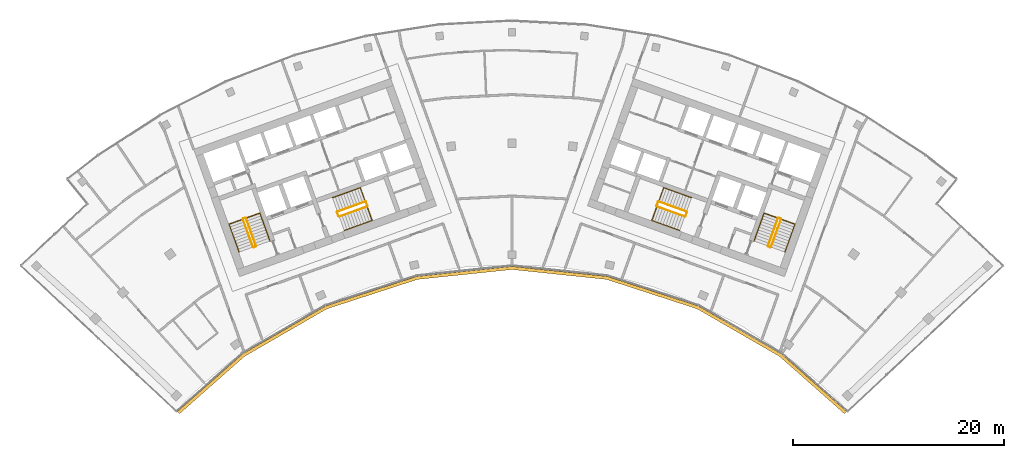
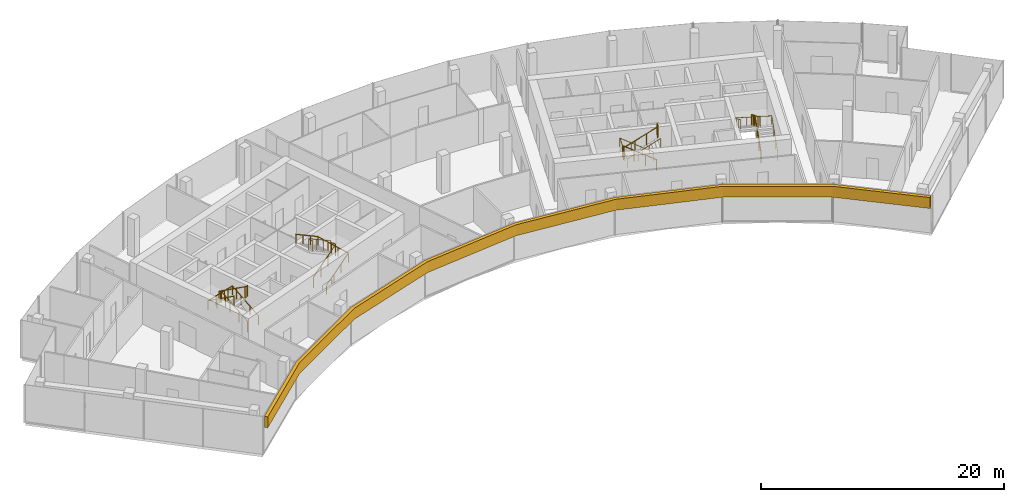
# One storey, part 18 of 18: 12 railings, 1 covering.
"""IFC4 building model written with IfcOpenShell, lengths in metres."""

import ifcopenshell
import ifcopenshell.guid

model = None  # the IFC model being written
_history = None  # IfcOwnerHistory: only IFC2X3 demands one
_inside = {}  # id of a spatial element -> (the spatial element, [elements in it])
_under = {}  # id of a project, library or spatial element -> (it, [spatial elements below it])
_declared = {}  # id of a project -> (the project, [libraries it declares])
_typed = {}  # id of a type object -> (the type object, [elements of that type])
_made_of = {}  # id of a material, layer set ... -> (it, [elements and type objects made of it])


def new_model(schema):
    """Start an empty IFC model of exactly this schema.

    Asked for "IFC4X3", IfcOpenShell would pick the latest addendum, in which some entities
    have other attributes; the version numbers below select the first issue.
    IFC2X3 requires an IfcOwnerHistory on every rooted entity: one is made here for all.
    """
    global model, _history
    if schema == "IFC4X3":
        model = ifcopenshell.file(schema_version=(4, 3, 0, 0))
    else:
        model = ifcopenshell.file(schema=schema)
    _inside.clear()
    _under.clear()
    _declared.clear()
    _typed.clear()
    _made_of.clear()
    _history = None
    if model.schema == "IFC2X3":
        org = make("IfcOrganization", Name="unknown")
        user = make(
            "IfcPersonAndOrganization",
            ThePerson=make("IfcPerson", FamilyName="unknown"),
            TheOrganization=org,
        )
        app = make(
            "IfcApplication",
            ApplicationDeveloper=org,
            Version="unknown",
            ApplicationFullName="unknown",
            ApplicationIdentifier="unknown",
        )
        _history = make(
            "IfcOwnerHistory",
            OwningUser=user,
            OwningApplication=app,
            ChangeAction="ADDED",
            CreationDate=0,
        )
    return model


def make(cls, **values):
    """One entity of the class cls with the attributes given. An attribute that is None is left unset."""
    return model.create_entity(
        cls, **{name: value for name, value in values.items() if value is not None}
    )


def rooted(cls, **values):
    """An entity with a GlobalId (a new one), such as an element, a storey or a relation."""
    return make(cls, GlobalId=ifcopenshell.guid.new(), OwnerHistory=_history, **values)


def si_unit(unit_type, name, prefix=None):
    """IfcSIUnit, for example si_unit("LENGTHUNIT", "METRE", prefix="MILLI")."""
    return make("IfcSIUnit", UnitType=unit_type, Prefix=prefix, Name=name)


def assignment(units):
    """IfcUnitAssignment: the units of a project."""
    return None if units is None else make("IfcUnitAssignment", Units=units)


def point(xyz):
    """IfcCartesianPoint."""
    return None if xyz is None else make("IfcCartesianPoint", Coordinates=xyz)


def direction(xyz):
    """IfcDirection."""
    return None if xyz is None else make("IfcDirection", DirectionRatios=xyz)


def frame(location, z_axis=None, x_axis=None):
    """IfcAxis2Placement3D, a coordinate frame: its origin and axes. An axis left out is left unset."""
    return make(
        "IfcAxis2Placement3D",
        Location=point(location),
        Axis=direction(z_axis),
        RefDirection=direction(x_axis),
    )


def frame_2d(location, x_axis=None):
    """IfcAxis2Placement2D, a coordinate frame in the plane: its origin and x axis."""
    return make(
        "IfcAxis2Placement2D", Location=point(location), RefDirection=direction(x_axis)
    )


def origin():
    """The frame at (0, 0, 0) with its axes left unset."""
    return frame((0.0, 0.0, 0.0))


def origin_2d():
    """The frame at (0, 0) in the plane with its x axis left unset."""
    return frame_2d((0.0, 0.0))


def place(relative_to, where):
    """IfcLocalPlacement: puts the frame where relative to a parent placement (None: the world)."""
    return make(
        "IfcLocalPlacement", PlacementRelTo=relative_to, RelativePlacement=where
    )


def context(
    kind, dimensions, precision=None, world=None, true_north=None, identifier=None
):
    """IfcGeometricRepresentationContext, for example the 3D "Model" context."""
    return make(
        "IfcGeometricRepresentationContext",
        ContextIdentifier=identifier,
        ContextType=kind,
        CoordinateSpaceDimension=dimensions,
        Precision=precision,
        WorldCoordinateSystem=world,
        TrueNorth=true_north,
    )


def subcontext(parent, identifier, kind, view, scale=None):
    """IfcGeometricRepresentationSubContext, for example "Body" below "Model"."""
    return make(
        "IfcGeometricRepresentationSubContext",
        ContextIdentifier=identifier,
        ContextType=kind,
        ParentContext=parent,
        TargetScale=scale,
        TargetView=view,
    )


def project(units=None, contexts=None):
    """IfcProject with its units and contexts."""
    return rooted(
        "IfcProject",
        Name="project",
        RepresentationContexts=contexts,
        UnitsInContext=assignment(units),
    )


def spatial(cls, under=None, at=None, **own):
    """A site, building, storey or space (cls), placed at a placement, below another one or the project."""
    s = rooted(cls, ObjectPlacement=at, **own)
    if under is not None:
        _under.setdefault(under.id(), (under, []))[1].append(s)
    return s


def polyline(points):
    """IfcPolyline through the points."""
    return make("IfcPolyline", Points=[point(p) for p in points])


def profile(cls, at=None, kind="AREA", **sizes):
    """A parametric profile (cls). Its sizes go by their IFC names, for example OverallWidth=200.0."""
    return make(cls, ProfileType=kind, Position=at, **sizes)


def circle(**sizes):
    """IfcCircleProfileDef."""
    return profile("IfcCircleProfileDef", **sizes)


def outline(outer, holes=None, kind="AREA"):
    """IfcArbitraryClosedProfileDef: a profile drawn as a closed curve; with holes, ...WithVoids."""
    if holes is None:
        return make("IfcArbitraryClosedProfileDef", ProfileType=kind, OuterCurve=outer)
    return make(
        "IfcArbitraryProfileDefWithVoids",
        ProfileType=kind,
        OuterCurve=outer,
        InnerCurves=holes,
    )


def extrude(swept, where, along, depth):
    """IfcExtrudedAreaSolid: the profile swept, set in the frame where, extruded along a direction by depth."""
    return make(
        "IfcExtrudedAreaSolid",
        SweptArea=swept,
        Position=where,
        ExtrudedDirection=direction(along),
        Depth=depth,
    )


def shape(context_of_items, identifier, shape_type, items):
    """IfcShapeRepresentation: the items that make up one representation, for example the "Body"."""
    return make(
        "IfcShapeRepresentation",
        ContextOfItems=context_of_items,
        RepresentationIdentifier=identifier,
        RepresentationType=shape_type,
        Items=items,
    )


def material(Name=None, Category=None):
    """IfcMaterial."""
    return make("IfcMaterial", Name=Name, Category=Category)


def layer(
    of_material, thickness, ventilated=None, Name=None, Category=None, Priority=None
):
    """IfcMaterialLayer: one layer of a wall or slab, of a material (None: an air gap)."""
    return make(
        "IfcMaterialLayer",
        Material=of_material,
        LayerThickness=thickness,
        IsVentilated=ventilated,
        Name=Name,
        Category=Category,
        Priority=Priority,
    )


def layer_set(layers, Name=None):
    """IfcMaterialLayerSet."""
    return make("IfcMaterialLayerSet", MaterialLayers=layers, LayerSetName=Name)


def made_of(thing, what):
    """Note that an element or type object is made of a material, layer set ...; save() writes the relation."""
    if what is not None:
        _made_of.setdefault(what.id(), (what, []))[1].append(thing)
    return thing


def type_object(cls, material=None, **own):
    """A type object (cls), such as IfcWallType, which elements share."""
    return made_of(rooted(cls, **own), material)


def element(
    cls,
    number,
    at=None,
    inside=None,
    cuts=None,
    type_object=None,
    material=None,
    context=None,
    identifier="Body",
    shape_type=None,
    held_by="IfcProductDefinitionShape",
    body=None,
    shapes=None,
    **own,
):
    """One element of the class cls, such as IfcWall. Its Tag is "e" and its number.

    at: its placement. inside: the storey or other place that contains it. cuts: it is an
    opening in that element (IfcRelVoidsElement). A single representation is given by context,
    identifier, shape_type and body (its items); several are given by shapes. held_by: the class
    of the entity that holds the representations. save() writes the other relations.
    """
    e = rooted(cls, Tag="e%d" % number, ObjectPlacement=at, **own)
    if body is not None:
        shapes = [shape(context, identifier, shape_type, body)]
    if shapes is not None:
        e.Representation = make(held_by, Representations=shapes)
    if inside is not None:
        _inside.setdefault(inside.id(), (inside, []))[1].append(e)
    if cuts is not None:
        rooted(
            "IfcRelVoidsElement", RelatingBuildingElement=cuts, RelatedOpeningElement=e
        )
    if type_object is not None:
        _typed.setdefault(type_object.id(), (type_object, []))[1].append(e)
    return made_of(e, material)


def aggregate(whole, parts):
    """IfcRelAggregates: a whole, such as a stair, and the parts it consists of."""
    return rooted("IfcRelAggregates", RelatingObject=whole, RelatedObjects=parts)


def save(model, path):
    """Write the relations noted so far, then the file.

    IfcRelAggregates (storeys below a building ...), IfcRelContainedInSpatialStructure (elements
    in a storey), IfcRelDefinesByType, IfcRelAssociatesMaterial and IfcRelDeclares: one each for
    every whole, place, type object, material and project.
    """
    for whole, parts in _under.values():
        aggregate(whole, parts)
    for where, things in _inside.values():
        rooted(
            "IfcRelContainedInSpatialStructure",
            RelatedElements=things,
            RelatingStructure=where,
        )
    for kind, things in _typed.values():
        rooted("IfcRelDefinesByType", RelatedObjects=things, RelatingType=kind)
    for what, things in _made_of.values():
        rooted("IfcRelAssociatesMaterial", RelatedObjects=things, RelatingMaterial=what)
    for by, libraries in _declared.values():
        rooted("IfcRelDeclares", RelatingContext=by, RelatedDefinitions=libraries)
    model.write(path)


model = new_model("IFC4")

# Units and contexts
model_context = context("Model", 3, precision=1e-05, world=origin(), true_north=direction((0.0, 1.0)))
body_context = subcontext(model_context, "Body", "Model", "MODEL_VIEW")
ifc_project = project(units=[si_unit("LENGTHUNIT", "METRE"), si_unit("AREAUNIT", "SQUARE_METRE"), si_unit("VOLUMEUNIT", "CUBIC_METRE"), si_unit("PLANEANGLEUNIT", "RADIAN"), si_unit("MASSUNIT", "GRAM", prefix="KILO")], contexts=[model_context])

# Site, building, storey
site_placement = place(None, origin())
site = spatial("IfcSite", under=ifc_project, at=site_placement, CompositionType="ELEMENT")
building_placement = place(site_placement, origin())
building = spatial("IfcBuilding", under=site, at=building_placement, Name="Stone Belt Terrace Tower", CompositionType="ELEMENT")
storey_placement = place(building_placement, frame((0.0, 0.0, 261.800048828125)))
storey = spatial("IfcBuildingStorey", under=building, at=storey_placement, Name="L63", CompositionType="ELEMENT", Elevation=261.800048828125)

# Railings
ifc_material_1 = material(Name="Structural steel C345", Category="steel")
railing_type_1 = type_object("IfcRailingType", Name="Stair guard 1100", PredefinedType="GUARDRAIL", material=ifc_material_1)
railing_1_placement = place(storey_placement, frame((-24.2119140625, 45.276123046875, 0.172607421875)))
element("IfcRailing", 1, at=railing_1_placement, inside=storey, type_object=railing_type_1, Name="L63 ST1A stair guard 1", PredefinedType="GUARDRAIL", context=body_context, shape_type="SweptSolid", body=[
    extrude(circle(Radius=0.02392578125, at=origin_2d()), frame((0.0, 0.0, 1.076171875), z_axis=(-0.288228637646, 0.800791768495, 0.525030280985), x_axis=(-0.940908529223, -0.338660803216, 0.0)), (0.0, 0.0, 1.0), 3.289794921875),
    extrude(circle(Radius=0.02392578125, at=origin_2d()), frame((-0.9482421875, 2.634521484375, 2.80322265625), z_axis=(-0.905209821074, 0.424964916, 0.0), x_axis=(-0.424964916, -0.905209821074, 0.0)), (0.0, 0.0, 1.0), 0.070556640625),
    extrude(circle(Radius=0.02392578125, at=origin_2d()), frame((-1.01220703125, 2.66455078125, 2.80322265625), z_axis=(-0.941105063269, -0.338114270461, 0.0), x_axis=(0.338114270461, -0.941105063269, 0.0)), (0.0, 0.0, 1.0), 0.199951171875),
    extrude(circle(Radius=0.02099609375, at=origin_2d()), origin(), (0.0, 0.0, 1.0), 1.052001953125),
    extrude(circle(Radius=0.02099609375, at=origin_2d()), frame((-0.316162109375, 0.878173828125, 0.57568359375)), (0.0, 0.0, 1.0), 1.052001953125),
    extrude(circle(Radius=0.02099609375, at=origin_2d()), frame((-0.632080078125, 1.75634765625, 1.151611328125)), (0.0, 0.0, 1.0), 1.052001953125),
    extrude(circle(Radius=0.02099609375, at=origin_2d()), frame((-0.9482421875, 2.634521484375, 1.727294921875)), (0.0, 0.0, 1.0), 1.052001953125),
    extrude(circle(Radius=0.02099609375, at=origin_2d()), frame((-1.01220703125, 2.66455078125, 1.727294921875)), (0.0, 0.0, 1.0), 1.052001953125),
    extrude(circle(Radius=0.02099609375, at=origin_2d()), frame((-1.200439453125, 2.596923828125, 1.727294921875)), (0.0, 0.0, 1.0), 1.052001953125),
])
railing_2_placement = place(storey_placement, frame((-25.4423828125, 47.80908203125, 2.07275390625)))
element("IfcRailing", 2, at=railing_2_placement, inside=storey, type_object=railing_type_1, Name="L63 ST1A stair guard 2", PredefinedType="GUARDRAIL", context=body_context, shape_type="SweptSolid", body=[
    extrude(circle(Radius=0.02392578125, at=origin_2d()), frame((0.0, 0.0, 1.076171875), z_axis=(0.288228637646, -0.800791768495, 0.525030280985), x_axis=(0.940908529223, 0.338660803216, 0.0)), (0.0, 0.0, 1.0), 3.289794921875),
    extrude(circle(Radius=0.02392578125, at=origin_2d()), frame((0.9482421875, -2.634521484375, 2.80322265625), z_axis=(0.903878284585, -0.427789722475, 0.0), x_axis=(0.427789722475, 0.903878284585, 0.0)), (0.0, 0.0, 1.0), 0.07080078125),
    extrude(circle(Radius=0.02392578125, at=origin_2d()), frame((1.01220703125, -2.664794921875, 2.80322265625), z_axis=(0.940575576748, 0.339584429008, 0.0), x_axis=(-0.339584429008, 0.940575576748, 0.0)), (0.0, 0.0, 1.0), 0.199951171875),
    extrude(circle(Radius=0.02099609375, at=origin_2d()), origin(), (0.0, 0.0, 1.0), 1.052001953125),
    extrude(circle(Radius=0.02099609375, at=origin_2d()), frame((0.316162109375, -0.878173828125, 0.57568359375)), (0.0, 0.0, 1.0), 1.052001953125),
    extrude(circle(Radius=0.02099609375, at=origin_2d()), frame((0.632080078125, -1.75634765625, 1.151611328125)), (0.0, 0.0, 1.0), 1.052001953125),
    extrude(circle(Radius=0.02099609375, at=origin_2d()), frame((0.9482421875, -2.634521484375, 1.727294921875)), (0.0, 0.0, 1.0), 1.052001953125),
    extrude(circle(Radius=0.02099609375, at=origin_2d()), frame((1.01220703125, -2.664794921875, 1.727294921875)), (0.0, 0.0, 1.0), 1.052001953125),
    extrude(circle(Radius=0.02099609375, at=origin_2d()), frame((1.2001953125, -2.596923828125, 1.727294921875)), (0.0, 0.0, 1.0), 1.052001953125),
])
railing_3_placement = place(storey_placement, frame((-16.33837890625, 48.056640625, 0.172607421875)))
element("IfcRailing", 3, at=railing_3_placement, inside=storey, type_object=railing_type_1, Name="L63 ST2A stair guard 1", PredefinedType="GUARDRAIL", context=body_context, shape_type="SweptSolid", body=[
    extrude(circle(Radius=0.02392578125, at=origin_2d()), frame((0.0, 0.0, 1.076171875), z_axis=(0.800808895155, 0.288160591223, 0.52504150989), x_axis=(-0.338583606334, 0.940936311087, 0.0)), (0.0, 0.0, 1.0), 3.289794921875),
    extrude(circle(Radius=0.02392578125, at=origin_2d()), frame((2.634521484375, 0.947998046875, 2.80322265625), z_axis=(0.427789722475, 0.903878284585, 0.0), x_axis=(-0.903878284585, 0.427789722475, 0.0)), (0.0, 0.0, 1.0), 0.07080078125),
    extrude(circle(Radius=0.02392578125, at=origin_2d()), frame((2.664794921875, 1.011962890625, 2.80322265625), z_axis=(-0.338654645739, 0.940910745459, 0.0), x_axis=(-0.940910745459, -0.338654645739, 0.0)), (0.0, 0.0, 1.0), 0.400146484375),
    extrude(circle(Radius=0.02099609375, at=origin_2d()), origin(), (0.0, 0.0, 1.0), 1.052001953125),
    extrude(circle(Radius=0.02099609375, at=origin_2d()), frame((0.878173828125, 0.31591796875, 0.57568359375)), (0.0, 0.0, 1.0), 1.052001953125),
    extrude(circle(Radius=0.02099609375, at=origin_2d()), frame((1.75634765625, 0.632080078125, 1.151611328125)), (0.0, 0.0, 1.0), 1.052001953125),
    extrude(circle(Radius=0.02099609375, at=origin_2d()), frame((2.634521484375, 0.947998046875, 1.727294921875)), (0.0, 0.0, 1.0), 1.052001953125),
    extrude(circle(Radius=0.02099609375, at=origin_2d()), frame((2.664794921875, 1.011962890625, 1.727294921875)), (0.0, 0.0, 1.0), 1.052001953125),
    extrude(circle(Radius=0.02099609375, at=origin_2d()), frame((2.529296875, 1.388427734375, 1.727294921875)), (0.0, 0.0, 1.0), 1.052001953125),
])
railing_4_placement = place(storey_placement, frame((-13.873046875, 49.47509765625, 2.07275390625)))
element("IfcRailing", 4, at=railing_4_placement, inside=storey, type_object=railing_type_1, Name="L63 ST2A stair guard 2", PredefinedType="GUARDRAIL", context=body_context, shape_type="SweptSolid", body=[
    extrude(circle(Radius=0.02392578125, at=origin_2d()), frame((0.0, 0.0, 1.076171875), z_axis=(-0.800808895155, -0.288160591223, 0.52504150989), x_axis=(0.338583606334, -0.940936311087, 0.0)), (0.0, 0.0, 1.0), 3.289794921875),
    extrude(circle(Radius=0.02392578125, at=origin_2d()), frame((-2.634521484375, -0.947998046875, 2.80322265625), z_axis=(-0.427789722475, -0.903878284585, 0.0), x_axis=(0.903878284585, -0.427789722475, 0.0)), (0.0, 0.0, 1.0), 0.07080078125),
    extrude(circle(Radius=0.02392578125, at=origin_2d()), frame((-2.664794921875, -1.011962890625, 2.80322265625), z_axis=(0.338654645739, -0.940910745459, 0.0), x_axis=(0.940910745459, 0.338654645739, 0.0)), (0.0, 0.0, 1.0), 0.400146484375),
    extrude(circle(Radius=0.02099609375, at=origin_2d()), origin(), (0.0, 0.0, 1.0), 1.052001953125),
    extrude(circle(Radius=0.02099609375, at=origin_2d()), frame((-0.878173828125, -0.31591796875, 0.57568359375)), (0.0, 0.0, 1.0), 1.052001953125),
    extrude(circle(Radius=0.02099609375, at=origin_2d()), frame((-1.75634765625, -0.632080078125, 1.151611328125)), (0.0, 0.0, 1.0), 1.052001953125),
    extrude(circle(Radius=0.02099609375, at=origin_2d()), frame((-2.634521484375, -0.947998046875, 1.727294921875)), (0.0, 0.0, 1.0), 1.052001953125),
    extrude(circle(Radius=0.02099609375, at=origin_2d()), frame((-2.664794921875, -1.011962890625, 1.727294921875)), (0.0, 0.0, 1.0), 1.052001953125),
    extrude(circle(Radius=0.02099609375, at=origin_2d()), frame((-2.529296875, -1.388427734375, 1.727294921875)), (0.0, 0.0, 1.0), 1.052001953125),
])
railing_5_placement = place(storey_placement, frame((24.494140625, 45.174560546875, 0.172607421875)))
element("IfcRailing", 5, at=railing_5_placement, inside=storey, type_object=railing_type_1, Name="L63 ST1B stair guard 1", PredefinedType="GUARDRAIL", context=body_context, shape_type="SweptSolid", body=[
    extrude(circle(Radius=0.02392578125, at=origin_2d()), frame((0.0, 0.0, 1.076171875), z_axis=(0.288228637646, 0.800791768495, 0.525030280985), x_axis=(-0.940908529223, 0.338660803216, 0.0)), (0.0, 0.0, 1.0), 3.289794921875),
    extrude(circle(Radius=0.02392578125, at=origin_2d()), frame((0.9482421875, 2.634521484375, 2.80322265625), z_axis=(-0.424964916, 0.905209821074, 0.0), x_axis=(-0.905209821074, -0.424964916, 0.0)), (0.0, 0.0, 1.0), 0.070556640625),
    extrude(circle(Radius=0.02392578125, at=origin_2d()), frame((0.918212890625, 2.698486328125, 2.80322265625), z_axis=(-0.941105063269, 0.338114270461, 0.0), x_axis=(-0.338114270461, -0.941105063269, 0.0)), (0.0, 0.0, 1.0), 0.199951171875),
    extrude(circle(Radius=0.02099609375, at=origin_2d()), origin(), (0.0, 0.0, 1.0), 1.052001953125),
    extrude(circle(Radius=0.02099609375, at=origin_2d()), frame((0.316162109375, 0.878173828125, 0.57568359375)), (0.0, 0.0, 1.0), 1.052001953125),
    extrude(circle(Radius=0.02099609375, at=origin_2d()), frame((0.632080078125, 1.75634765625, 1.151611328125)), (0.0, 0.0, 1.0), 1.052001953125),
    extrude(circle(Radius=0.02099609375, at=origin_2d()), frame((0.9482421875, 2.634521484375, 1.727294921875)), (0.0, 0.0, 1.0), 1.052001953125),
    extrude(circle(Radius=0.02099609375, at=origin_2d()), frame((0.918212890625, 2.698486328125, 1.727294921875)), (0.0, 0.0, 1.0), 1.052001953125),
    extrude(circle(Radius=0.02099609375, at=origin_2d()), frame((0.72998046875, 2.76611328125, 1.727294921875)), (0.0, 0.0, 1.0), 1.052001953125),
])
railing_6_placement = place(storey_placement, frame((25.16015625, 47.91064453125, 2.07275390625)))
element("IfcRailing", 6, at=railing_6_placement, inside=storey, type_object=railing_type_1, Name="L63 ST1B stair guard 2", PredefinedType="GUARDRAIL", context=body_context, shape_type="SweptSolid", body=[
    extrude(circle(Radius=0.02392578125, at=origin_2d()), frame((0.0, 0.0, 1.076171875), z_axis=(-0.288228637646, -0.800791768495, 0.525030280985), x_axis=(0.940908529223, -0.338660803216, 0.0)), (0.0, 0.0, 1.0), 3.289794921875),
    extrude(circle(Radius=0.02392578125, at=origin_2d()), frame((-0.9482421875, -2.634521484375, 2.80322265625), z_axis=(0.427789722475, -0.903878284585, 0.0), x_axis=(0.903878284585, 0.427789722475, 0.0)), (0.0, 0.0, 1.0), 0.07080078125),
    extrude(circle(Radius=0.02392578125, at=origin_2d()), frame((-0.91796875, -2.698486328125, 2.80322265625), z_axis=(0.940575576748, -0.339584429008, 0.0), x_axis=(0.339584429008, 0.940575576748, 0.0)), (0.0, 0.0, 1.0), 0.199951171875),
    extrude(circle(Radius=0.02099609375, at=origin_2d()), origin(), (0.0, 0.0, 1.0), 1.052001953125),
    extrude(circle(Radius=0.02099609375, at=origin_2d()), frame((-0.316162109375, -0.878173828125, 0.57568359375)), (0.0, 0.0, 1.0), 1.052001953125),
    extrude(circle(Radius=0.02099609375, at=origin_2d()), frame((-0.632080078125, -1.75634765625, 1.151611328125)), (0.0, 0.0, 1.0), 1.052001953125),
    extrude(circle(Radius=0.02099609375, at=origin_2d()), frame((-0.9482421875, -2.634521484375, 1.727294921875)), (0.0, 0.0, 1.0), 1.052001953125),
    extrude(circle(Radius=0.02099609375, at=origin_2d()), frame((-0.91796875, -2.698486328125, 1.727294921875)), (0.0, 0.0, 1.0), 1.052001953125),
    extrude(circle(Radius=0.02099609375, at=origin_2d()), frame((-0.72998046875, -2.766357421875, 1.727294921875)), (0.0, 0.0, 1.0), 1.052001953125),
])
railing_7_placement = place(storey_placement, frame((16.507568359375, 48.527099609375, 0.172607421875)))
element("IfcRailing", 7, at=railing_7_placement, inside=storey, type_object=railing_type_1, Name="L63 ST2B stair guard 1", PredefinedType="GUARDRAIL", context=body_context, shape_type="SweptSolid", body=[
    extrude(circle(Radius=0.02392578125, at=origin_2d()), frame((0.0, 0.0, 1.076171875), z_axis=(-0.800808895155, 0.288160591223, 0.52504150989), x_axis=(-0.338583606334, -0.940936311087, 0.0)), (0.0, 0.0, 1.0), 3.289794921875),
    extrude(circle(Radius=0.02392578125, at=origin_2d()), frame((-2.634521484375, 0.947998046875, 2.80322265625), z_axis=(-0.905209821074, -0.424964916, 0.0), x_axis=(0.424964916, -0.905209821074, 0.0)), (0.0, 0.0, 1.0), 0.070556640625),
    extrude(circle(Radius=0.02392578125, at=origin_2d()), frame((-2.698486328125, 0.91796875, 2.80322265625), z_axis=(-0.338654645739, -0.940910745459, 0.0), x_axis=(0.940910745459, -0.338654645739, 0.0)), (0.0, 0.0, 1.0), 0.400146484375),
    extrude(circle(Radius=0.02099609375, at=origin_2d()), origin(), (0.0, 0.0, 1.0), 1.052001953125),
    extrude(circle(Radius=0.02099609375, at=origin_2d()), frame((-0.878173828125, 0.31591796875, 0.57568359375)), (0.0, 0.0, 1.0), 1.052001953125),
    extrude(circle(Radius=0.02099609375, at=origin_2d()), frame((-1.75634765625, 0.632080078125, 1.151611328125)), (0.0, 0.0, 1.0), 1.052001953125),
    extrude(circle(Radius=0.02099609375, at=origin_2d()), frame((-2.634521484375, 0.947998046875, 1.727294921875)), (0.0, 0.0, 1.0), 1.052001953125),
    extrude(circle(Radius=0.02099609375, at=origin_2d()), frame((-2.698486328125, 0.91796875, 1.727294921875)), (0.0, 0.0, 1.0), 1.052001953125),
    extrude(circle(Radius=0.02099609375, at=origin_2d()), frame((-2.833984375, 0.54150390625, 1.727294921875)), (0.0, 0.0, 1.0), 1.052001953125),
])
railing_8_placement = place(storey_placement, frame((13.703857421875, 49.004638671875, 2.07275390625)))
element("IfcRailing", 8, at=railing_8_placement, inside=storey, type_object=railing_type_1, Name="L63 ST2B stair guard 2", PredefinedType="GUARDRAIL", context=body_context, shape_type="SweptSolid", body=[
    extrude(circle(Radius=0.02392578125, at=origin_2d()), frame((0.0, 0.0, 1.076171875), z_axis=(0.800808895155, -0.288160591223, 0.52504150989), x_axis=(0.338583606334, 0.940936311087, 0.0)), (0.0, 0.0, 1.0), 3.289794921875),
    extrude(circle(Radius=0.02392578125, at=origin_2d()), frame((2.634521484375, -0.947998046875, 2.80322265625), z_axis=(0.905209821074, 0.424964916, 0.0), x_axis=(-0.424964916, 0.905209821074, 0.0)), (0.0, 0.0, 1.0), 0.070556640625),
    extrude(circle(Radius=0.02392578125, at=origin_2d()), frame((2.698486328125, -0.91796875, 2.80322265625), z_axis=(0.338654645739, 0.940910745459, 0.0), x_axis=(-0.940910745459, 0.338654645739, 0.0)), (0.0, 0.0, 1.0), 0.400146484375),
    extrude(circle(Radius=0.02099609375, at=origin_2d()), origin(), (0.0, 0.0, 1.0), 1.052001953125),
    extrude(circle(Radius=0.02099609375, at=origin_2d()), frame((0.878173828125, -0.31591796875, 0.57568359375)), (0.0, 0.0, 1.0), 1.052001953125),
    extrude(circle(Radius=0.02099609375, at=origin_2d()), frame((1.75634765625, -0.632080078125, 1.151611328125)), (0.0, 0.0, 1.0), 1.052001953125),
    extrude(circle(Radius=0.02099609375, at=origin_2d()), frame((2.634521484375, -0.947998046875, 1.727294921875)), (0.0, 0.0, 1.0), 1.052001953125),
    extrude(circle(Radius=0.02099609375, at=origin_2d()), frame((2.698486328125, -0.91796875, 1.727294921875)), (0.0, 0.0, 1.0), 1.052001953125),
    extrude(circle(Radius=0.02099609375, at=origin_2d()), frame((2.833984375, -0.54150390625, 1.727294921875)), (0.0, 0.0, 1.0), 1.052001953125),
])
railing_type_2 = type_object("IfcRailingType", Name="Stair handrail 900", PredefinedType="HANDRAIL", material=ifc_material_1)
railing_9_placement = place(storey_placement, frame((-22.894775390625, 45.750244140625, 0.172607421875)))
element("IfcRailing", 9, at=railing_9_placement, inside=storey, type_object=railing_type_2, Name="L63 ST1A stair handrail 1", PredefinedType="HANDRAIL", context=body_context, shape_type="SweptSolid", body=[
    extrude(circle(Radius=0.02392578125, at=origin_2d()), frame((0.0, 0.0, 0.8759765625), z_axis=(-0.288160591223, 0.800808895155, 0.52504150989), x_axis=(-0.940936311087, -0.338583606334, 0.0)), (0.0, 0.0, 1.0), 3.289794921875),
    extrude(circle(Radius=0.02392578125, at=origin_2d()), frame((-0.947998046875, 2.634521484375, 2.60302734375), z_axis=(-0.939460408074, -0.338105101667, 0.055669398135), x_axis=(0.338630230244, -0.940919532779, 0.0)), (0.0, 0.0, 1.0), 3.10498046875),
    extrude(circle(Radius=0.02392578125, at=origin_2d()), frame((-3.864990234375, 1.584716796875, 2.77587890625), z_axis=(0.288228637646, -0.800791768495, 0.525030280985), x_axis=(0.940908529223, 0.338660803216, 0.0)), (0.0, 0.0, 1.0), 3.289794921875),
    extrude(circle(Radius=0.02099609375, at=origin_2d()), origin(), (0.0, 0.0, 1.0), 0.851806640625),
    extrude(circle(Radius=0.02099609375, at=origin_2d()), frame((-0.31591796875, 0.878173828125, 0.57568359375)), (0.0, 0.0, 1.0), 0.851806640625),
    extrude(circle(Radius=0.02099609375, at=origin_2d()), frame((-0.632080078125, 1.75634765625, 1.151611328125)), (0.0, 0.0, 1.0), 0.851806640625),
    extrude(circle(Radius=0.02099609375, at=origin_2d()), frame((-0.947998046875, 2.634521484375, 1.727294921875)), (0.0, 0.0, 1.0), 0.851806640625),
    extrude(circle(Radius=0.02099609375, at=origin_2d()), frame((-1.92041015625, 2.28466796875, 1.784912109375)), (0.0, 0.0, 1.0), 0.851806640625),
    extrude(circle(Radius=0.02099609375, at=origin_2d()), frame((-2.892578125, 1.9345703125, 1.842529296875)), (0.0, 0.0, 1.0), 0.851806640625),
    extrude(circle(Radius=0.02099609375, at=origin_2d()), frame((-3.864990234375, 1.584716796875, 1.900146484375)), (0.0, 0.0, 1.0), 0.851806640625),
    extrude(circle(Radius=0.02099609375, at=origin_2d()), frame((-3.548828125, 0.70654296875, 2.475830078125)), (0.0, 0.0, 1.0), 0.851806640625),
    extrude(circle(Radius=0.02099609375, at=origin_2d()), frame((-3.23291015625, -0.171630859375, 3.0517578125)), (0.0, 0.0, 1.0), 0.851806640625),
    extrude(circle(Radius=0.02099609375, at=origin_2d()), frame((-2.916748046875, -1.0498046875, 3.62744140625)), (0.0, 0.0, 1.0), 0.851806640625),
])
railing_10_placement = place(storey_placement, frame((-15.8642578125, 46.7392578125, 0.172607421875)))
element("IfcRailing", 10, at=railing_10_placement, inside=storey, type_object=railing_type_2, Name="L63 ST2A stair handrail 1", PredefinedType="HANDRAIL", context=body_context, shape_type="SweptSolid", body=[
    extrude(circle(Radius=0.02392578125, at=origin_2d()), frame((0.0, 0.0, 0.8759765625), z_axis=(0.800791768495, 0.288228637646, 0.525030280985), x_axis=(-0.338660803216, 0.940908529223, 0.0)), (0.0, 0.0, 1.0), 3.289794921875),
    extrude(circle(Radius=0.02392578125, at=origin_2d()), frame((2.634521484375, 0.9482421875, 2.60302734375), z_axis=(-0.338158948057, 0.939634149308, 0.052308615955), x_axis=(-0.940922302781, -0.338622533404, 0.0)), (0.0, 0.0, 1.0), 3.304443359375),
    extrude(circle(Radius=0.02392578125, at=origin_2d()), frame((1.51708984375, 4.05322265625, 2.77587890625), z_axis=(-0.800791768495, -0.288228637646, 0.525030280985), x_axis=(0.338660803216, -0.940908529223, 0.0)), (0.0, 0.0, 1.0), 3.289794921875),
    extrude(circle(Radius=0.02099609375, at=origin_2d()), origin(), (0.0, 0.0, 1.0), 0.851806640625),
    extrude(circle(Radius=0.02099609375, at=origin_2d()), frame((0.878173828125, 0.316162109375, 0.57568359375)), (0.0, 0.0, 1.0), 0.851806640625),
    extrude(circle(Radius=0.02099609375, at=origin_2d()), frame((1.75634765625, 0.632080078125, 1.151611328125)), (0.0, 0.0, 1.0), 0.851806640625),
    extrude(circle(Radius=0.02099609375, at=origin_2d()), frame((2.634521484375, 0.9482421875, 1.727294921875)), (0.0, 0.0, 1.0), 0.851806640625),
    extrude(circle(Radius=0.02099609375, at=origin_2d()), frame((2.261962890625, 1.983154296875, 1.784912109375)), (0.0, 0.0, 1.0), 0.851806640625),
    extrude(circle(Radius=0.02099609375, at=origin_2d()), frame((1.8896484375, 3.018310546875, 1.842529296875)), (0.0, 0.0, 1.0), 0.851806640625),
    extrude(circle(Radius=0.02099609375, at=origin_2d()), frame((1.51708984375, 4.05322265625, 1.900146484375)), (0.0, 0.0, 1.0), 0.851806640625),
    extrude(circle(Radius=0.02099609375, at=origin_2d()), frame((0.638916015625, 3.737060546875, 2.475830078125)), (0.0, 0.0, 1.0), 0.851806640625),
    extrude(circle(Radius=0.02099609375, at=origin_2d()), frame((-0.2392578125, 3.421142578125, 3.0517578125)), (0.0, 0.0, 1.0), 0.851806640625),
    extrude(circle(Radius=0.02099609375, at=origin_2d()), frame((-1.117431640625, 3.10498046875, 3.62744140625)), (0.0, 0.0, 1.0), 0.851806640625),
])
railing_11_placement = place(storey_placement, frame((25.8115234375, 44.700439453125, 0.172607421875)))
element("IfcRailing", 11, at=railing_11_placement, inside=storey, type_object=railing_type_2, Name="L63 ST1B stair handrail 1", PredefinedType="HANDRAIL", context=body_context, shape_type="SweptSolid", body=[
    extrude(circle(Radius=0.02392578125, at=origin_2d()), frame((0.0, 0.0, 0.8759765625), z_axis=(0.288228637646, 0.800791768495, 0.525030280985), x_axis=(-0.940908529223, 0.338660803216, 0.0)), (0.0, 0.0, 1.0), 3.289794921875),
    extrude(circle(Radius=0.02392578125, at=origin_2d()), frame((0.9482421875, 2.634521484375, 2.60302734375), z_axis=(-0.939460408074, 0.338105101667, 0.055669398135), x_axis=(-0.338630230244, -0.940919532779, 0.0)), (0.0, 0.0, 1.0), 3.10498046875),
    extrude(circle(Radius=0.02392578125, at=origin_2d()), frame((-1.96875, 3.684326171875, 2.77587890625), z_axis=(-0.288160591223, -0.800808895155, 0.52504150989), x_axis=(0.940936311087, -0.338583606334, 0.0)), (0.0, 0.0, 1.0), 3.289794921875),
    extrude(circle(Radius=0.02099609375, at=origin_2d()), origin(), (0.0, 0.0, 1.0), 0.851806640625),
    extrude(circle(Radius=0.02099609375, at=origin_2d()), frame((0.316162109375, 0.878173828125, 0.57568359375)), (0.0, 0.0, 1.0), 0.851806640625),
    extrude(circle(Radius=0.02099609375, at=origin_2d()), frame((0.632080078125, 1.75634765625, 1.151611328125)), (0.0, 0.0, 1.0), 0.851806640625),
    extrude(circle(Radius=0.02099609375, at=origin_2d()), frame((0.9482421875, 2.634521484375, 1.727294921875)), (0.0, 0.0, 1.0), 0.851806640625),
    extrude(circle(Radius=0.02099609375, at=origin_2d()), frame((-0.024169921875, 2.984375, 1.784912109375)), (0.0, 0.0, 1.0), 0.851806640625),
    extrude(circle(Radius=0.02099609375, at=origin_2d()), frame((-0.996337890625, 3.33447265625, 1.842529296875)), (0.0, 0.0, 1.0), 0.851806640625),
    extrude(circle(Radius=0.02099609375, at=origin_2d()), frame((-1.96875, 3.684326171875, 1.900146484375)), (0.0, 0.0, 1.0), 0.851806640625),
    extrude(circle(Radius=0.02099609375, at=origin_2d()), frame((-2.28466796875, 2.80615234375, 2.475830078125)), (0.0, 0.0, 1.0), 0.851806640625),
    extrude(circle(Radius=0.02099609375, at=origin_2d()), frame((-2.600830078125, 1.927978515625, 3.0517578125)), (0.0, 0.0, 1.0), 0.851806640625),
    extrude(circle(Radius=0.02099609375, at=origin_2d()), frame((-2.916748046875, 1.0498046875, 3.62744140625)), (0.0, 0.0, 1.0), 0.851806640625),
])
railing_12_placement = place(storey_placement, frame((16.981689453125, 49.84423828125, 0.172607421875)))
element("IfcRailing", 12, at=railing_12_placement, inside=storey, type_object=railing_type_2, Name="L63 ST2B stair handrail 1", PredefinedType="HANDRAIL", context=body_context, shape_type="SweptSolid", body=[
    extrude(circle(Radius=0.02392578125, at=origin_2d()), frame((0.0, 0.0, 0.8759765625), z_axis=(-0.800791768495, 0.288228637646, 0.525030280985), x_axis=(-0.338660803216, -0.940908529223, 0.0)), (0.0, 0.0, 1.0), 3.289794921875),
    extrude(circle(Radius=0.02392578125, at=origin_2d()), frame((-2.634521484375, 0.9482421875, 2.60302734375), z_axis=(-0.338158948057, -0.939634149308, 0.052308615955), x_axis=(0.940922302781, -0.338622533404, 0.0)), (0.0, 0.0, 1.0), 3.304443359375),
    extrude(circle(Radius=0.02392578125, at=origin_2d()), frame((-3.751953125, -2.15673828125, 2.77587890625), z_axis=(0.800791768495, -0.288228637646, 0.525030280985), x_axis=(0.338660803216, 0.940908529223, 0.0)), (0.0, 0.0, 1.0), 3.289794921875),
    extrude(circle(Radius=0.02099609375, at=origin_2d()), origin(), (0.0, 0.0, 1.0), 0.851806640625),
    extrude(circle(Radius=0.02099609375, at=origin_2d()), frame((-0.878173828125, 0.316162109375, 0.57568359375)), (0.0, 0.0, 1.0), 0.851806640625),
    extrude(circle(Radius=0.02099609375, at=origin_2d()), frame((-1.75634765625, 0.632080078125, 1.151611328125)), (0.0, 0.0, 1.0), 0.851806640625),
    extrude(circle(Radius=0.02099609375, at=origin_2d()), frame((-2.634521484375, 0.9482421875, 1.727294921875)), (0.0, 0.0, 1.0), 0.851806640625),
    extrude(circle(Radius=0.02099609375, at=origin_2d()), frame((-3.007080078125, -0.086669921875, 1.784912109375)), (0.0, 0.0, 1.0), 0.851806640625),
    extrude(circle(Radius=0.02099609375, at=origin_2d()), frame((-3.37939453125, -1.121826171875, 1.842529296875)), (0.0, 0.0, 1.0), 0.851806640625),
    extrude(circle(Radius=0.02099609375, at=origin_2d()), frame((-3.751953125, -2.15673828125, 1.900146484375)), (0.0, 0.0, 1.0), 0.851806640625),
    extrude(circle(Radius=0.02099609375, at=origin_2d()), frame((-2.873779296875, -2.472900390625, 2.475830078125)), (0.0, 0.0, 1.0), 0.851806640625),
    extrude(circle(Radius=0.02099609375, at=origin_2d()), frame((-1.99560546875, -2.788818359375, 3.0517578125)), (0.0, 0.0, 1.0), 0.851806640625),
    extrude(circle(Radius=0.02099609375, at=origin_2d()), frame((-1.117431640625, -3.10498046875, 3.62744140625)), (0.0, 0.0, 1.0), 0.851806640625),
])

# Covering
ifc_material_2 = material(Name="Terracotta coloured glazed ceramic", Category="masonry")
ifc_layer = layer(ifc_material_2, 0.300048828125)
ifc_layer_set = layer_set([ifc_layer], Name="Terracotta spandrel band 300 x 1100")
covering_type = type_object("IfcCoveringType", Name="Terracotta spandrel band 300 x 1100", PredefinedType="CLADDING", material=ifc_layer_set)
covering_placement = place(storey_placement, frame((0.0, 0.0, 2.699951171875)))
element("IfcCovering", 13, at=covering_placement, inside=storey, type_object=covering_type, Name="BAND L63", PredefinedType="CLADDING", context=body_context, shape_type="SweptSolid", body=[
    extrude(outline(polyline([(-31.651611328125, 29.6220703125), (-25.480712890625, 35.06982421875), (-17.631591796875, 39.6015625), (-9.0126953125, 42.40185546875), (0.0, 43.34912109375), (9.0126953125, 42.40185546875), (17.631591796875, 39.6015625), (25.480712890625, 35.06982421875), (31.651611328125, 29.6220703125), (31.453125, 29.39697265625), (25.3046875, 34.824951171875), (17.509033203125, 39.325927734375), (8.9501953125, 42.10693359375), (0.0, 43.047607421875), (-8.9501953125, 42.10693359375), (-17.509033203125, 39.325927734375), (-25.3046875, 34.824951171875), (-31.453125, 29.39697265625), (-31.651611328125, 29.6220703125)])), origin(), (0.0, 0.0, 1.0), 1.10009765625),
])

save(model, "model.ifc")
